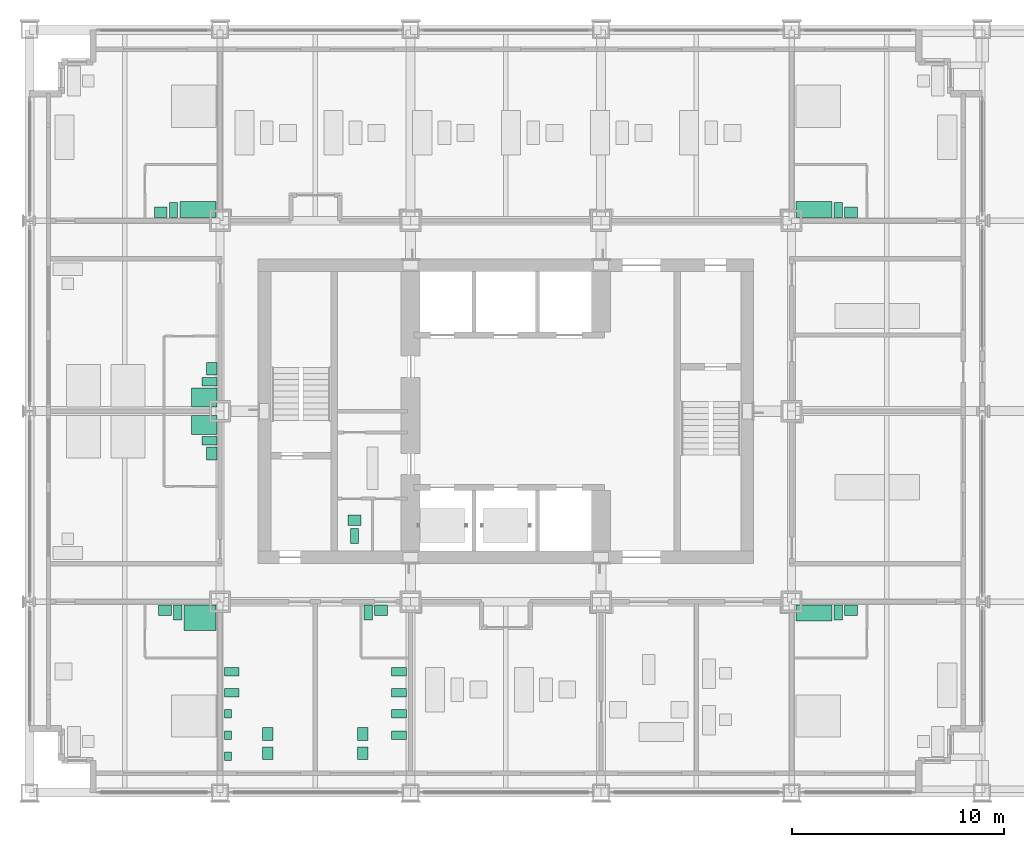
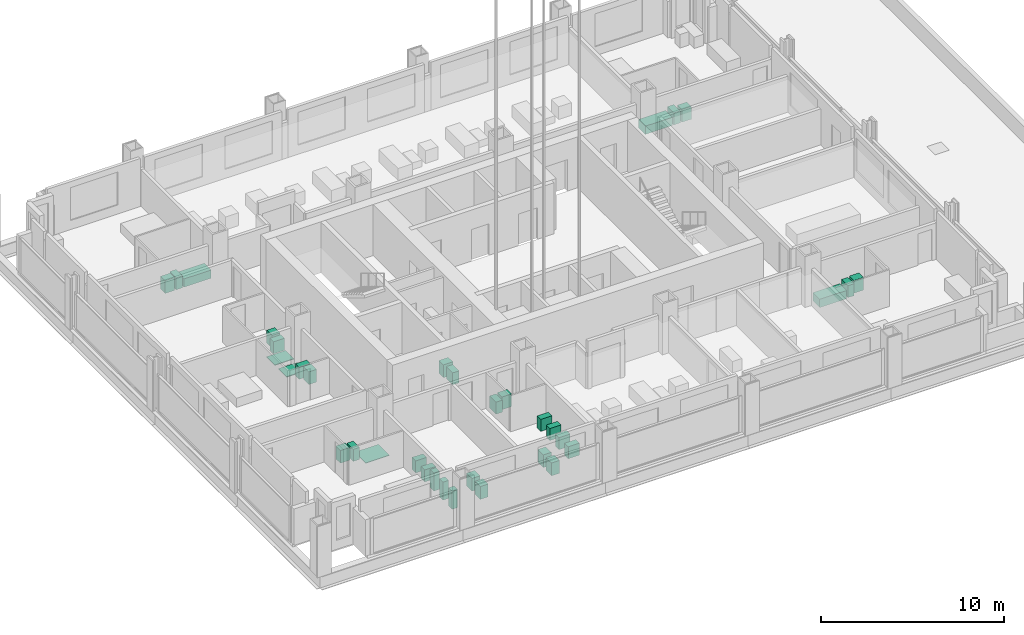
# One storey, part 17 of 19: 35 sanitary terminals.
"""IFC4 building model written with IfcOpenShell, lengths in metres."""

from ifc_helpers import new_model, si_unit, direction, frame, origin, origin_2d, place, context, subcontext, project, spatial, rectangle, extrude, element, save


model = new_model("IFC4")

# Units and contexts
model_context = context("Model", 3, precision=1e-05, world=origin(), true_north=direction((0.0, 1.0)))
body_context = subcontext(model_context, "Body", "Model", "MODEL_VIEW")
ifc_project = project(units=[si_unit("LENGTHUNIT", "METRE"), si_unit("AREAUNIT", "SQUARE_METRE"), si_unit("VOLUMEUNIT", "CUBIC_METRE"), si_unit("PLANEANGLEUNIT", "RADIAN"), si_unit("MASSUNIT", "GRAM", prefix="KILO")], contexts=[model_context])

# Site, building, storey
site_placement = place(None, origin())
site = spatial("IfcSite", under=ifc_project, at=site_placement, CompositionType="ELEMENT")
building_placement = place(site_placement, origin())
building = spatial("IfcBuilding", under=site, at=building_placement, Name="Loomwork Tower", CompositionType="ELEMENT")
storey_placement = place(building_placement, frame((0.0, 0.0, 94.199951171875)))
storey = spatial("IfcBuildingStorey", under=building, at=storey_placement, Name="L24", CompositionType="ELEMENT", Elevation=94.199951171875)

# Sanitary terminals
sanitary_terminal_1_placement = place(storey_placement, frame((8.050048828125, 8.25, 0.0), z_axis=(0.0, 0.0, 1.0), x_axis=(1.0, 0.0, 0.0)))
element("IfcSanitaryTerminal", 1, at=sanitary_terminal_1_placement, inside=storey, Name="Roll-in shower floor L24", PredefinedType="SHOWER", context=body_context, shape_type="SweptSolid", body=[
    extrude(rectangle(XDim=1.5, YDim=1.199951171875, at=origin_2d()), origin(), (0.0, 0.0, 1.0), 0.030029296875),
])
sanitary_terminal_2_placement = place(storey_placement, frame((7.0, 8.5, 0.0), z_axis=(0.0, 0.0, 1.0), x_axis=(1.0, 0.0, 0.0)))
element("IfcSanitaryTerminal", 2, at=sanitary_terminal_2_placement, inside=storey, Name="WC L24", PredefinedType="TOILETPAN", context=body_context, shape_type="SweptSolid", body=[
    extrude(rectangle(XDim=0.39990234375, YDim=0.699951171875, at=origin_2d()), origin(), (0.0, 0.0, 1.0), 0.800048828125),
])
sanitary_terminal_3_placement = place(storey_placement, frame((6.39990234375, 8.60009765625, 0.0), z_axis=(0.0, 0.0, 1.0), x_axis=(1.0, 0.0, 0.0)))
element("IfcSanitaryTerminal", 3, at=sanitary_terminal_3_placement, inside=storey, Name="Basin vanity L24", PredefinedType="WASHHANDBASIN", context=body_context, shape_type="SweptSolid", body=[
    extrude(rectangle(XDim=0.60009765625, YDim=0.5, at=origin_2d()), origin(), (0.0, 0.0, 1.0), 0.85009765625),
])
for number, where, z_axis, x_axis, name in (
    (4, (9.550048828125, 5.699951171875, 0.0), (0.0, 0.0, 1.0), (1.0, 0.0, 0.0), "WC L24"),
    (5, (9.550048828125, 4.699951171875, 0.0), (0.0, 0.0, 1.0), (1.0, 0.0, 0.0), "WC L24"),
):
    element("IfcSanitaryTerminal", number, at=place(storey_placement, frame(where, z_axis=z_axis, x_axis=x_axis)), inside=storey, Name=name, PredefinedType="TOILETPAN", context=body_context, shape_type="SweptSolid", body=[
        extrude(rectangle(XDim=0.699951171875, YDim=0.39990234375, at=origin_2d()), origin(), (0.0, 0.0, 1.0), 0.800048828125),
    ])
for number, where, z_axis, x_axis, name in (
    (6, (9.375, 3.699951171875, 0.0), (0.0, 0.0, 1.0), (1.0, 0.0, 0.0), "Urinal L24"),
    (7, (9.375, 2.699951171875, 0.0), (0.0, 0.0, 1.0), (1.0, 0.0, 0.0), "Urinal L24"),
    (8, (9.375, 1.699951171875, 0.0), (0.0, 0.0, 1.0), (1.0, 0.0, 0.0), "Urinal L24"),
):
    element("IfcSanitaryTerminal", number, at=place(storey_placement, frame(where, z_axis=z_axis, x_axis=x_axis)), inside=storey, Name=name, PredefinedType="URINAL", context=body_context, shape_type="SweptSolid", body=[
        extrude(rectangle(XDim=0.35009765625, YDim=0.39990234375, at=origin_2d()), origin(), (0.0, 0.0, 1.0), 1.199951171875),
    ])
for number, where, z_axis, x_axis, name in (
    (9, (11.25, 1.85009765625, 0.0), (0.0, 0.0, 1.0), (1.0, 0.0, 0.0), "Basin vanity L24"),
    (10, (11.25, 2.75, 0.0), (0.0, 0.0, 1.0), (1.0, 0.0, 0.0), "Basin vanity L24"),
):
    element("IfcSanitaryTerminal", number, at=place(storey_placement, frame(where, z_axis=z_axis, x_axis=x_axis)), inside=storey, Name=name, PredefinedType="WASHHANDBASIN", context=body_context, shape_type="SweptSolid", body=[
        extrude(rectangle(XDim=0.5, YDim=0.60009765625, at=origin_2d()), origin(), (0.0, 0.0, 1.0), 0.85009765625),
    ])
for number, where, z_axis, x_axis, name in (
    (11, (17.449951171875, 5.699951171875, 0.0), (0.0, 0.0, 1.0), (1.0, 0.0, 0.0), "WC L24"),
    (12, (17.449951171875, 4.699951171875, 0.0), (0.0, 0.0, 1.0), (1.0, 0.0, 0.0), "WC L24"),
    (13, (17.449951171875, 3.699951171875, 0.0), (0.0, 0.0, 1.0), (1.0, 0.0, 0.0), "WC L24"),
    (14, (17.449951171875, 2.699951171875, 0.0), (0.0, 0.0, 1.0), (1.0, 0.0, 0.0), "WC L24"),
):
    element("IfcSanitaryTerminal", number, at=place(storey_placement, frame(where, z_axis=z_axis, x_axis=x_axis)), inside=storey, Name=name, PredefinedType="TOILETPAN", context=body_context, shape_type="SweptSolid", body=[
        extrude(rectangle(XDim=0.699951171875, YDim=0.39990234375, at=origin_2d()), origin(), (0.0, 0.0, 1.0), 0.800048828125),
    ])
for number, where, z_axis, x_axis, name in (
    (15, (15.75, 1.85009765625, 0.0), (0.0, 0.0, 1.0), (1.0, 0.0, 0.0), "Basin vanity L24"),
    (16, (15.75, 2.75, 0.0), (0.0, 0.0, 1.0), (1.0, 0.0, 0.0), "Basin vanity L24"),
):
    element("IfcSanitaryTerminal", number, at=place(storey_placement, frame(where, z_axis=z_axis, x_axis=x_axis)), inside=storey, Name=name, PredefinedType="WASHHANDBASIN", context=body_context, shape_type="SweptSolid", body=[
        extrude(rectangle(XDim=0.5, YDim=0.60009765625, at=origin_2d()), origin(), (0.0, 0.0, 1.0), 0.85009765625),
    ])
sanitary_terminal_4_placement = place(storey_placement, frame((16.0, 8.5, 0.0), z_axis=(0.0, 0.0, 1.0), x_axis=(1.0, 0.0, 0.0)))
element("IfcSanitaryTerminal", 17, at=sanitary_terminal_4_placement, inside=storey, Name="WC L24", PredefinedType="TOILETPAN", context=body_context, shape_type="SweptSolid", body=[
    extrude(rectangle(XDim=0.39990234375, YDim=0.699951171875, at=origin_2d()), origin(), (0.0, 0.0, 1.0), 0.800048828125),
])
sanitary_terminal_5_placement = place(storey_placement, frame((16.60009765625, 8.60009765625, 0.0), z_axis=(0.0, 0.0, 1.0), x_axis=(1.0, 0.0, 0.0)))
element("IfcSanitaryTerminal", 18, at=sanitary_terminal_5_placement, inside=storey, Name="Basin vanity L24", PredefinedType="WASHHANDBASIN", context=body_context, shape_type="SweptSolid", body=[
    extrude(rectangle(XDim=0.60009765625, YDim=0.5, at=origin_2d()), origin(), (0.0, 0.0, 1.0), 0.85009765625),
])
sanitary_terminal_6_placement = place(storey_placement, frame((37.050048828125, 8.47509765625, 0.0), z_axis=(0.0, 0.0, 1.0), x_axis=(1.0, 0.0, 0.0)))
element("IfcSanitaryTerminal", 19, at=sanitary_terminal_6_placement, inside=storey, Name="Bath L24", PredefinedType="BATH", context=body_context, shape_type="SweptSolid", body=[
    extrude(rectangle(XDim=1.699951171875, YDim=0.75, at=origin_2d()), origin(), (0.0, 0.0, 1.0), 0.550048828125),
])
sanitary_terminal_7_placement = place(storey_placement, frame((38.199951171875, 8.5, 0.0), z_axis=(0.0, 0.0, 1.0), x_axis=(1.0, 0.0, 0.0)))
element("IfcSanitaryTerminal", 20, at=sanitary_terminal_7_placement, inside=storey, Name="WC L24", PredefinedType="TOILETPAN", context=body_context, shape_type="SweptSolid", body=[
    extrude(rectangle(XDim=0.39990234375, YDim=0.699951171875, at=origin_2d()), origin(), (0.0, 0.0, 1.0), 0.800048828125),
])
sanitary_terminal_8_placement = place(storey_placement, frame((38.800048828125, 8.60009765625, 0.0), z_axis=(0.0, 0.0, 1.0), x_axis=(1.0, 0.0, 0.0)))
element("IfcSanitaryTerminal", 21, at=sanitary_terminal_8_placement, inside=storey, Name="Basin vanity L24", PredefinedType="WASHHANDBASIN", context=body_context, shape_type="SweptSolid", body=[
    extrude(rectangle(XDim=0.60009765625, YDim=0.5, at=origin_2d()), origin(), (0.0, 0.0, 1.0), 0.85009765625),
])
sanitary_terminal_9_placement = place(storey_placement, frame((7.949951171875, 27.52490234375, 0.0), z_axis=(0.0, 0.0, 1.0), x_axis=(1.0, 0.0, 0.0)))
element("IfcSanitaryTerminal", 22, at=sanitary_terminal_9_placement, inside=storey, Name="Bath L24", PredefinedType="BATH", context=body_context, shape_type="SweptSolid", body=[
    extrude(rectangle(XDim=1.699951171875, YDim=0.75, at=origin_2d()), origin(), (0.0, 0.0, 1.0), 0.550048828125),
])
sanitary_terminal_10_placement = place(storey_placement, frame((6.800048828125, 27.5, 0.0), z_axis=(0.0, 0.0, 1.0), x_axis=(1.0, 0.0, 0.0)))
element("IfcSanitaryTerminal", 23, at=sanitary_terminal_10_placement, inside=storey, Name="WC L24", PredefinedType="TOILETPAN", context=body_context, shape_type="SweptSolid", body=[
    extrude(rectangle(XDim=0.39990234375, YDim=0.699951171875, at=origin_2d()), origin(), (0.0, 0.0, 1.0), 0.800048828125),
])
sanitary_terminal_11_placement = place(storey_placement, frame((6.199951171875, 27.39990234375, 0.0), z_axis=(0.0, 0.0, 1.0), x_axis=(1.0, 0.0, 0.0)))
element("IfcSanitaryTerminal", 24, at=sanitary_terminal_11_placement, inside=storey, Name="Basin vanity L24", PredefinedType="WASHHANDBASIN", context=body_context, shape_type="SweptSolid", body=[
    extrude(rectangle(XDim=0.60009765625, YDim=0.5, at=origin_2d()), origin(), (0.0, 0.0, 1.0), 0.85009765625),
])
sanitary_terminal_12_placement = place(storey_placement, frame((37.050048828125, 27.52490234375, 0.0), z_axis=(0.0, 0.0, 1.0), x_axis=(1.0, 0.0, 0.0)))
element("IfcSanitaryTerminal", 25, at=sanitary_terminal_12_placement, inside=storey, Name="Bath L24", PredefinedType="BATH", context=body_context, shape_type="SweptSolid", body=[
    extrude(rectangle(XDim=1.699951171875, YDim=0.75, at=origin_2d()), origin(), (0.0, 0.0, 1.0), 0.550048828125),
])
sanitary_terminal_13_placement = place(storey_placement, frame((38.199951171875, 27.5, 0.0), z_axis=(0.0, 0.0, 1.0), x_axis=(1.0, 0.0, 0.0)))
element("IfcSanitaryTerminal", 26, at=sanitary_terminal_13_placement, inside=storey, Name="WC L24", PredefinedType="TOILETPAN", context=body_context, shape_type="SweptSolid", body=[
    extrude(rectangle(XDim=0.39990234375, YDim=0.699951171875, at=origin_2d()), origin(), (0.0, 0.0, 1.0), 0.800048828125),
])
sanitary_terminal_14_placement = place(storey_placement, frame((38.800048828125, 27.39990234375, 0.0), z_axis=(0.0, 0.0, 1.0), x_axis=(1.0, 0.0, 0.0)))
element("IfcSanitaryTerminal", 27, at=sanitary_terminal_14_placement, inside=storey, Name="Basin vanity L24", PredefinedType="WASHHANDBASIN", context=body_context, shape_type="SweptSolid", body=[
    extrude(rectangle(XDim=0.60009765625, YDim=0.5, at=origin_2d()), origin(), (0.0, 0.0, 1.0), 0.85009765625),
])
sanitary_terminal_15_placement = place(storey_placement, frame((8.25, 17.35009765625, 0.0), z_axis=(0.0, 0.0, 1.0), x_axis=(1.0, 0.0, 0.0)))
element("IfcSanitaryTerminal", 28, at=sanitary_terminal_15_placement, inside=storey, Name="Shower tray L24", PredefinedType="SHOWER", context=body_context, shape_type="SweptSolid", body=[
    extrude(rectangle(XDim=1.199951171875, YDim=0.89990234375, at=origin_2d()), origin(), (0.0, 0.0, 1.0), 0.050048828125),
])
sanitary_terminal_16_placement = place(storey_placement, frame((8.5, 16.60009765625, 0.0), z_axis=(0.0, 0.0, 1.0), x_axis=(1.0, 0.0, 0.0)))
element("IfcSanitaryTerminal", 29, at=sanitary_terminal_16_placement, inside=storey, Name="WC L24", PredefinedType="TOILETPAN", context=body_context, shape_type="SweptSolid", body=[
    extrude(rectangle(XDim=0.699951171875, YDim=0.39990234375, at=origin_2d()), origin(), (0.0, 0.0, 1.0), 0.800048828125),
])
sanitary_terminal_17_placement = place(storey_placement, frame((8.60009765625, 16.0, 0.0), z_axis=(0.0, 0.0, 1.0), x_axis=(1.0, 0.0, 0.0)))
element("IfcSanitaryTerminal", 30, at=sanitary_terminal_17_placement, inside=storey, Name="Basin vanity L24", PredefinedType="WASHHANDBASIN", context=body_context, shape_type="SweptSolid", body=[
    extrude(rectangle(XDim=0.5, YDim=0.60009765625, at=origin_2d()), origin(), (0.0, 0.0, 1.0), 0.85009765625),
])
sanitary_terminal_18_placement = place(storey_placement, frame((8.25, 18.64990234375, 0.0), z_axis=(0.0, 0.0, 1.0), x_axis=(1.0, 0.0, 0.0)))
element("IfcSanitaryTerminal", 31, at=sanitary_terminal_18_placement, inside=storey, Name="Shower tray L24", PredefinedType="SHOWER", context=body_context, shape_type="SweptSolid", body=[
    extrude(rectangle(XDim=1.199951171875, YDim=0.89990234375, at=origin_2d()), origin(), (0.0, 0.0, 1.0), 0.050048828125),
])
sanitary_terminal_19_placement = place(storey_placement, frame((8.5, 19.39990234375, 0.0), z_axis=(0.0, 0.0, 1.0), x_axis=(1.0, 0.0, 0.0)))
element("IfcSanitaryTerminal", 32, at=sanitary_terminal_19_placement, inside=storey, Name="WC L24", PredefinedType="TOILETPAN", context=body_context, shape_type="SweptSolid", body=[
    extrude(rectangle(XDim=0.699951171875, YDim=0.39990234375, at=origin_2d()), origin(), (0.0, 0.0, 1.0), 0.800048828125),
])
sanitary_terminal_20_placement = place(storey_placement, frame((8.60009765625, 20.0, 0.0), z_axis=(0.0, 0.0, 1.0), x_axis=(1.0, 0.0, 0.0)))
element("IfcSanitaryTerminal", 33, at=sanitary_terminal_20_placement, inside=storey, Name="Basin vanity L24", PredefinedType="WASHHANDBASIN", context=body_context, shape_type="SweptSolid", body=[
    extrude(rectangle(XDim=0.5, YDim=0.60009765625, at=origin_2d()), origin(), (0.0, 0.0, 1.0), 0.85009765625),
])
sanitary_terminal_21_placement = place(storey_placement, frame((15.35009765625, 12.10009765625, 0.0), z_axis=(0.0, 0.0, 1.0), x_axis=(1.0, 0.0, 0.0)))
element("IfcSanitaryTerminal", 34, at=sanitary_terminal_21_placement, inside=storey, Name="WC L24", PredefinedType="TOILETPAN", context=body_context, shape_type="SweptSolid", body=[
    extrude(rectangle(XDim=0.39990234375, YDim=0.699951171875, at=origin_2d()), origin(), (0.0, 0.0, 1.0), 0.800048828125),
])
sanitary_terminal_22_placement = place(storey_placement, frame((15.35009765625, 12.85009765625, 0.0), z_axis=(0.0, 0.0, 1.0), x_axis=(1.0, 0.0, 0.0)))
element("IfcSanitaryTerminal", 35, at=sanitary_terminal_22_placement, inside=storey, Name="Basin L24", PredefinedType="WASHHANDBASIN", context=body_context, shape_type="SweptSolid", body=[
    extrude(rectangle(XDim=0.60009765625, YDim=0.5, at=origin_2d()), origin(), (0.0, 0.0, 1.0), 0.85009765625),
])

save(model, "model.ifc")
